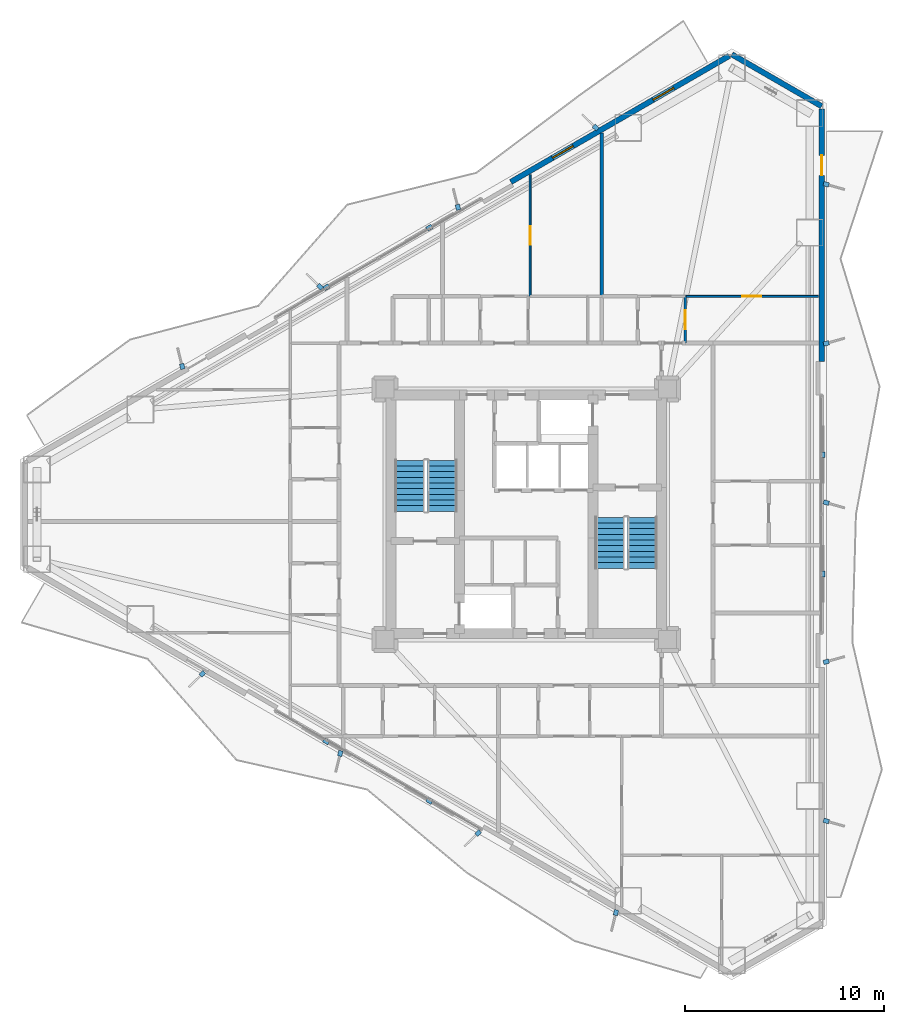
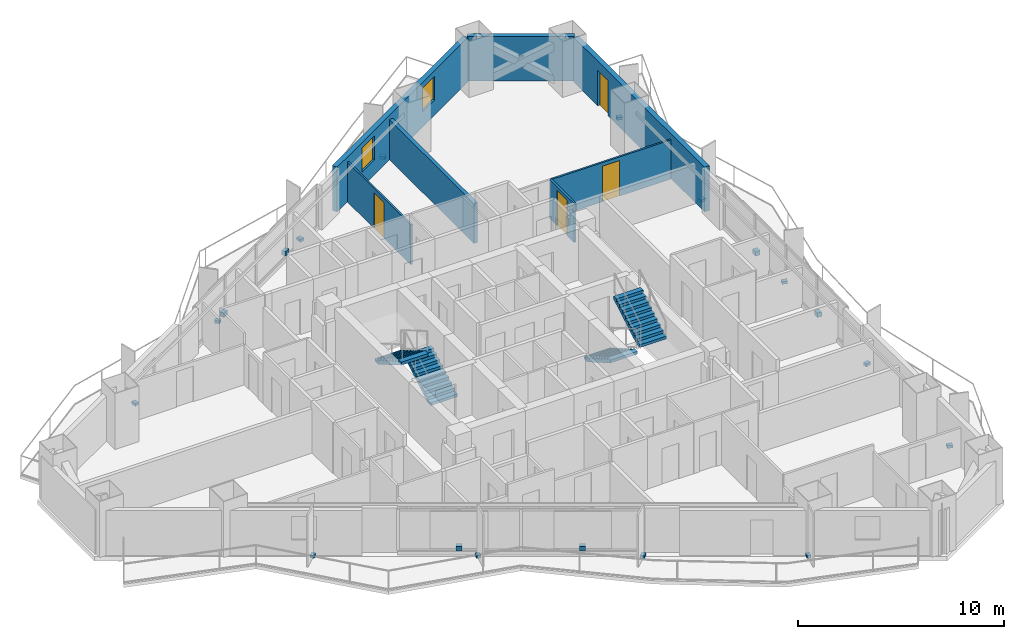
# One storey, part 16 of 18: 19 discrete accessories, 7 walls, 4 doors, 4 stair flights, 2 windows, 6 openings, 2 elements without a shape of their own.
"""IFC4 building model written with IfcOpenShell, lengths in metres."""

import ifcopenshell
import ifcopenshell.guid

model = None  # the IFC model being written
_history = None  # IfcOwnerHistory: only IFC2X3 demands one
_inside = {}  # id of a spatial element -> (the spatial element, [elements in it])
_under = {}  # id of a project, library or spatial element -> (it, [spatial elements below it])
_declared = {}  # id of a project -> (the project, [libraries it declares])
_typed = {}  # id of a type object -> (the type object, [elements of that type])
_made_of = {}  # id of a material, layer set ... -> (it, [elements and type objects made of it])


def new_model(schema):
    """Start an empty IFC model of exactly this schema.

    Asked for "IFC4X3", IfcOpenShell would pick the latest addendum, in which some entities
    have other attributes; the version numbers below select the first issue.
    IFC2X3 requires an IfcOwnerHistory on every rooted entity: one is made here for all.
    """
    global model, _history
    if schema == "IFC4X3":
        model = ifcopenshell.file(schema_version=(4, 3, 0, 0))
    else:
        model = ifcopenshell.file(schema=schema)
    _inside.clear()
    _under.clear()
    _declared.clear()
    _typed.clear()
    _made_of.clear()
    _history = None
    if model.schema == "IFC2X3":
        org = make("IfcOrganization", Name="unknown")
        user = make(
            "IfcPersonAndOrganization",
            ThePerson=make("IfcPerson", FamilyName="unknown"),
            TheOrganization=org,
        )
        app = make(
            "IfcApplication",
            ApplicationDeveloper=org,
            Version="unknown",
            ApplicationFullName="unknown",
            ApplicationIdentifier="unknown",
        )
        _history = make(
            "IfcOwnerHistory",
            OwningUser=user,
            OwningApplication=app,
            ChangeAction="ADDED",
            CreationDate=0,
        )
    return model


def make(cls, **values):
    """One entity of the class cls with the attributes given. An attribute that is None is left unset."""
    return model.create_entity(
        cls, **{name: value for name, value in values.items() if value is not None}
    )


def rooted(cls, **values):
    """An entity with a GlobalId (a new one), such as an element, a storey or a relation."""
    return make(cls, GlobalId=ifcopenshell.guid.new(), OwnerHistory=_history, **values)


def si_unit(unit_type, name, prefix=None):
    """IfcSIUnit, for example si_unit("LENGTHUNIT", "METRE", prefix="MILLI")."""
    return make("IfcSIUnit", UnitType=unit_type, Prefix=prefix, Name=name)


def assignment(units):
    """IfcUnitAssignment: the units of a project."""
    return None if units is None else make("IfcUnitAssignment", Units=units)


def point(xyz):
    """IfcCartesianPoint."""
    return None if xyz is None else make("IfcCartesianPoint", Coordinates=xyz)


def direction(xyz):
    """IfcDirection."""
    return None if xyz is None else make("IfcDirection", DirectionRatios=xyz)


def frame(location, z_axis=None, x_axis=None):
    """IfcAxis2Placement3D, a coordinate frame: its origin and axes. An axis left out is left unset."""
    return make(
        "IfcAxis2Placement3D",
        Location=point(location),
        Axis=direction(z_axis),
        RefDirection=direction(x_axis),
    )


def frame_2d(location, x_axis=None):
    """IfcAxis2Placement2D, a coordinate frame in the plane: its origin and x axis."""
    return make(
        "IfcAxis2Placement2D", Location=point(location), RefDirection=direction(x_axis)
    )


def origin():
    """The frame at (0, 0, 0) with its axes left unset."""
    return frame((0.0, 0.0, 0.0))


def origin_2d():
    """The frame at (0, 0) in the plane with its x axis left unset."""
    return frame_2d((0.0, 0.0))


def place(relative_to, where):
    """IfcLocalPlacement: puts the frame where relative to a parent placement (None: the world)."""
    return make(
        "IfcLocalPlacement", PlacementRelTo=relative_to, RelativePlacement=where
    )


def context(
    kind, dimensions, precision=None, world=None, true_north=None, identifier=None
):
    """IfcGeometricRepresentationContext, for example the 3D "Model" context."""
    return make(
        "IfcGeometricRepresentationContext",
        ContextIdentifier=identifier,
        ContextType=kind,
        CoordinateSpaceDimension=dimensions,
        Precision=precision,
        WorldCoordinateSystem=world,
        TrueNorth=true_north,
    )


def subcontext(parent, identifier, kind, view, scale=None):
    """IfcGeometricRepresentationSubContext, for example "Body" below "Model"."""
    return make(
        "IfcGeometricRepresentationSubContext",
        ContextIdentifier=identifier,
        ContextType=kind,
        ParentContext=parent,
        TargetScale=scale,
        TargetView=view,
    )


def project(units=None, contexts=None):
    """IfcProject with its units and contexts."""
    return rooted(
        "IfcProject",
        Name="project",
        RepresentationContexts=contexts,
        UnitsInContext=assignment(units),
    )


def spatial(cls, under=None, at=None, **own):
    """A site, building, storey or space (cls), placed at a placement, below another one or the project."""
    s = rooted(cls, ObjectPlacement=at, **own)
    if under is not None:
        _under.setdefault(under.id(), (under, []))[1].append(s)
    return s


def polyline(points):
    """IfcPolyline through the points."""
    return make("IfcPolyline", Points=[point(p) for p in points])


def profile(cls, at=None, kind="AREA", **sizes):
    """A parametric profile (cls). Its sizes go by their IFC names, for example OverallWidth=200.0."""
    return make(cls, ProfileType=kind, Position=at, **sizes)


def rectangle(**sizes):
    """IfcRectangleProfileDef."""
    return profile("IfcRectangleProfileDef", **sizes)


def outline(outer, holes=None, kind="AREA"):
    """IfcArbitraryClosedProfileDef: a profile drawn as a closed curve; with holes, ...WithVoids."""
    if holes is None:
        return make("IfcArbitraryClosedProfileDef", ProfileType=kind, OuterCurve=outer)
    return make(
        "IfcArbitraryProfileDefWithVoids",
        ProfileType=kind,
        OuterCurve=outer,
        InnerCurves=holes,
    )


def extrude(swept, where, along, depth):
    """IfcExtrudedAreaSolid: the profile swept, set in the frame where, extruded along a direction by depth."""
    return make(
        "IfcExtrudedAreaSolid",
        SweptArea=swept,
        Position=where,
        ExtrudedDirection=direction(along),
        Depth=depth,
    )


def shape(context_of_items, identifier, shape_type, items):
    """IfcShapeRepresentation: the items that make up one representation, for example the "Body"."""
    return make(
        "IfcShapeRepresentation",
        ContextOfItems=context_of_items,
        RepresentationIdentifier=identifier,
        RepresentationType=shape_type,
        Items=items,
    )


def material(Name=None, Category=None):
    """IfcMaterial."""
    return make("IfcMaterial", Name=Name, Category=Category)


def layer(
    of_material, thickness, ventilated=None, Name=None, Category=None, Priority=None
):
    """IfcMaterialLayer: one layer of a wall or slab, of a material (None: an air gap)."""
    return make(
        "IfcMaterialLayer",
        Material=of_material,
        LayerThickness=thickness,
        IsVentilated=ventilated,
        Name=Name,
        Category=Category,
        Priority=Priority,
    )


def layer_set(layers, Name=None):
    """IfcMaterialLayerSet."""
    return make("IfcMaterialLayerSet", MaterialLayers=layers, LayerSetName=Name)


def made_of(thing, what):
    """Note that an element or type object is made of a material, layer set ...; save() writes the relation."""
    if what is not None:
        _made_of.setdefault(what.id(), (what, []))[1].append(thing)
    return thing


def type_object(cls, material=None, **own):
    """A type object (cls), such as IfcWallType, which elements share."""
    return made_of(rooted(cls, **own), material)


def element(
    cls,
    number,
    at=None,
    inside=None,
    cuts=None,
    type_object=None,
    material=None,
    context=None,
    identifier="Body",
    shape_type=None,
    held_by="IfcProductDefinitionShape",
    body=None,
    shapes=None,
    **own,
):
    """One element of the class cls, such as IfcWall. Its Tag is "e" and its number.

    at: its placement. inside: the storey or other place that contains it. cuts: it is an
    opening in that element (IfcRelVoidsElement). A single representation is given by context,
    identifier, shape_type and body (its items); several are given by shapes. held_by: the class
    of the entity that holds the representations. save() writes the other relations.
    """
    e = rooted(cls, Tag="e%d" % number, ObjectPlacement=at, **own)
    if body is not None:
        shapes = [shape(context, identifier, shape_type, body)]
    if shapes is not None:
        e.Representation = make(held_by, Representations=shapes)
    if inside is not None:
        _inside.setdefault(inside.id(), (inside, []))[1].append(e)
    if cuts is not None:
        rooted(
            "IfcRelVoidsElement", RelatingBuildingElement=cuts, RelatedOpeningElement=e
        )
    if type_object is not None:
        _typed.setdefault(type_object.id(), (type_object, []))[1].append(e)
    return made_of(e, material)


def fill(opening, filler):
    """IfcRelFillsElement: the door or window that sits in an opening."""
    return rooted(
        "IfcRelFillsElement",
        RelatingOpeningElement=opening,
        RelatedBuildingElement=filler,
    )


def aggregate(whole, parts):
    """IfcRelAggregates: a whole, such as a stair, and the parts it consists of."""
    return rooted("IfcRelAggregates", RelatingObject=whole, RelatedObjects=parts)


def save(model, path):
    """Write the relations noted so far, then the file.

    IfcRelAggregates (storeys below a building ...), IfcRelContainedInSpatialStructure (elements
    in a storey), IfcRelDefinesByType, IfcRelAssociatesMaterial and IfcRelDeclares: one each for
    every whole, place, type object, material and project.
    """
    for whole, parts in _under.values():
        aggregate(whole, parts)
    for where, things in _inside.values():
        rooted(
            "IfcRelContainedInSpatialStructure",
            RelatedElements=things,
            RelatingStructure=where,
        )
    for kind, things in _typed.values():
        rooted("IfcRelDefinesByType", RelatedObjects=things, RelatingType=kind)
    for what, things in _made_of.values():
        rooted("IfcRelAssociatesMaterial", RelatedObjects=things, RelatingMaterial=what)
    for by, libraries in _declared.values():
        rooted("IfcRelDeclares", RelatingContext=by, RelatedDefinitions=libraries)
    model.write(path)


model = new_model("IFC4")

# Units and contexts
model_context = context("Model", 3, precision=1e-05, world=origin(), true_north=direction((0.0, 1.0)))
body_context = subcontext(model_context, "Body", "Model", "MODEL_VIEW")
ifc_project = project(units=[si_unit("LENGTHUNIT", "METRE"), si_unit("AREAUNIT", "SQUARE_METRE"), si_unit("VOLUMEUNIT", "CUBIC_METRE"), si_unit("PLANEANGLEUNIT", "RADIAN"), si_unit("MASSUNIT", "GRAM", prefix="KILO")], contexts=[model_context])

# Site, building, storey
site_placement = place(None, origin())
site = spatial("IfcSite", under=ifc_project, at=site_placement, CompositionType="ELEMENT")
building_placement = place(site_placement, origin())
building = spatial("IfcBuilding", under=site, at=building_placement, Name="Mersakhor Tower and Convention Hall", CompositionType="ELEMENT")
storey_placement = place(building_placement, frame((0.0, 0.0, 58.800048828125)))
storey = spatial("IfcBuildingStorey", under=building, at=storey_placement, Name="L16", CompositionType="ELEMENT", Elevation=58.800048828125)

# Wall
ifc_material_1 = material(Name="Precast concrete C45/55", Category="concrete")
ifc_layer_1 = layer(ifc_material_1, 0.27490234375)
ifc_layer_set_1 = layer_set([ifc_layer_1], Name="Precast concrete C45/55")
wall_type_1 = type_object("IfcWallType", Name="WL-EXT-275", PredefinedType="SOLIDWALL", material=ifc_layer_set_1)
wall_1_placement = place(storey_placement, frame((39.3369140625, 49.865234375, 0.0), z_axis=(0.0, 0.0, 1.0), x_axis=(0.866043601342, -0.499968479581, 0.0)))
element("IfcWall", 1, at=wall_1_placement, inside=storey, type_object=wall_type_1, Name="L16 Chamfer Braced Spandrel Wall C1", PredefinedType="SOLIDWALL", context=body_context, shape_type="SweptSolid", body=[
    extrude(rectangle(XDim=5.211181640625, YDim=0.27490234375, at=frame_2d((2.60546875, 0.0))), origin(), (0.0, 0.0, 1.0), 2.639892578125),
])

# Wall, openings, windows
wall_2_placement = place(storey_placement, frame((28.231689453125, 43.453857421875, 0.0), z_axis=(0.0, 0.0, 1.0), x_axis=(0.86603192154, 0.499988710747, 0.0)))
wall_2 = element("IfcWall", 2, at=wall_2_placement, inside=storey, type_object=wall_type_1, Name="L16 Exterior Facade Wall F1-B3", PredefinedType="SOLIDWALL", context=body_context, shape_type="SweptSolid", body=[
    extrude(rectangle(XDim=12.673095703125, YDim=0.27490234375, at=frame_2d((6.33642578125, 0.0))), origin(), (0.0, 0.0, 1.0), 2.639892578125),
])
opening_1_placement = place(wall_2_placement, frame((2.4169921875, 0.0, 0.89990234375)))
opening_1 = element("IfcOpeningElement", 3, at=opening_1_placement, cuts=wall_2, Name="Opening W-01", PredefinedType="OPENING", context=body_context, shape_type="SweptSolid", body=[
    extrude(rectangle(XDim=1.199951171875, YDim=1.39990234375, at=frame_2d((0.60009765625, 0.699951171875))), frame((0.0, 0.1474609375, 0.0), z_axis=(0.0, -1.0, 0.0), x_axis=(1.0, 0.0, 0.0)), (0.0, 0.0, 1.0), 0.294921875),
])
opening_2_placement = place(wall_2_placement, frame((8.2509765625, 0.0, 0.89990234375)))
opening_2 = element("IfcOpeningElement", 4, at=opening_2_placement, cuts=wall_2, Name="Opening W-01", PredefinedType="OPENING", context=body_context, shape_type="SweptSolid", body=[
    extrude(rectangle(XDim=1.199951171875, YDim=1.39990234375, at=frame_2d((0.60009765625, 0.699951171875))), frame((0.0, 0.1474609375, 0.0), z_axis=(0.0, -1.0, 0.0), x_axis=(1.0, 0.0, 0.0)), (0.0, 0.0, 1.0), 0.294921875),
])
ifc_material_2 = material(Name="Dark solar low-E glazed aluminium window", Category="aluminium")
window_type = type_object("IfcWindowType", Name="WN-RES-120x150", PartitioningType="SINGLE_PANEL", PredefinedType="WINDOW", material=ifc_material_2)
window_1_placement = place(opening_1_placement, origin())
window_1 = element("IfcWindow", 5, at=window_1_placement, inside=storey, type_object=window_type, Name="L16 Bedroom Facade Window F1-B3-1", OverallHeight=1.39990234375, OverallWidth=1.199951171875, PartitioningType="SINGLE_PANEL", PredefinedType="WINDOW", context=body_context, shape_type="SweptSolid", body=[
    extrude(rectangle(XDim=1.199951171875, YDim=1.39990234375, at=frame_2d((0.60009765625, 0.699951171875))), frame((0.0, 0.030029296875, 0.0), z_axis=(0.0, -1.0, 0.0), x_axis=(1.0, 0.0, 0.0)), (0.0, 0.0, 1.0), 0.06005859375),
])
fill(opening_1, window_1)
window_2_placement = place(opening_2_placement, origin())
window_2 = element("IfcWindow", 6, at=window_2_placement, inside=storey, type_object=window_type, Name="L16 Bedroom Facade Window F1-B3-2", OverallHeight=1.39990234375, OverallWidth=1.199951171875, PartitioningType="SINGLE_PANEL", PredefinedType="WINDOW", context=body_context, shape_type="SweptSolid", body=[
    extrude(rectangle(XDim=1.199951171875, YDim=1.39990234375, at=frame_2d((0.60009765625, 0.699951171875))), frame((0.0, 0.030029296875, 0.0), z_axis=(0.0, -1.0, 0.0), x_axis=(1.0, 0.0, 0.0)), (0.0, 0.0, 1.0), 0.06005859375),
])
fill(opening_2, window_2)

# Wall, opening, door
wall_3_placement = place(storey_placement, frame((43.85009765625, 47.109619140625, 0.0), z_axis=(0.0, 0.0, 1.0), x_axis=(0.0, -1.0, 0.0)))
wall_3 = element("IfcWall", 7, at=wall_3_placement, inside=storey, type_object=wall_type_1, Name="L16 Exterior Facade Wall F2-B1", PredefinedType="SOLIDWALL", context=body_context, shape_type="SweptSolid", body=[
    extrude(rectangle(XDim=12.673095703125, YDim=0.27490234375, at=frame_2d((6.33642578125, 0.0))), origin(), (0.0, 0.0, 1.0), 2.639892578125),
])
opening_3_placement = place(wall_3_placement, frame((2.324951171875, 0.0, 0.0)))
opening_3 = element("IfcOpeningElement", 8, at=opening_3_placement, cuts=wall_3, Name="Opening BD-01", PredefinedType="OPENING", context=body_context, shape_type="SweptSolid", body=[
    extrude(rectangle(XDim=1.0, YDim=2.10009765625, at=frame_2d((0.5, 1.050048828125))), frame((0.0, 0.1474609375, 0.0), z_axis=(0.0, -1.0, 0.0), x_axis=(1.0, 0.0, 0.0)), (0.0, 0.0, 1.0), 0.294921875),
])
ifc_material_3 = material(Name="Thermally broken dark aluminium and safety glass", Category="aluminium")
door_type_1 = type_object("IfcDoorType", Name="DR-BAL-100x210", OperationType="NOTDEFINED", PredefinedType="DOOR", material=ifc_material_3)
door_1_placement = place(opening_3_placement, origin())
door_1 = element("IfcDoor", 9, at=door_1_placement, inside=storey, type_object=door_type_1, Name="L16 Balcony Terrace Door F2-B1", OperationType="SINGLE_SWING_LEFT", OverallHeight=2.10009765625, OverallWidth=1.0, PredefinedType="DOOR", context=body_context, shape_type="SweptSolid", body=[
    extrude(rectangle(XDim=1.0, YDim=2.10009765625, at=frame_2d((0.5, 1.050048828125))), frame((0.0, 0.02490234375, 0.0), z_axis=(0.0, -1.0, 0.0), x_axis=(1.0, 0.0, 0.0)), (0.0, 0.0, 1.0), 0.050048828125),
])
fill(opening_3, door_1)

ifc_material_4 = material(Name="Lightweight gypsum partition", Category="other")
ifc_layer_2 = layer(ifc_material_4, 0.10009765625)
ifc_layer_set_2 = layer_set([ifc_layer_2], Name="Lightweight gypsum partition")
wall_type_2 = type_object("IfcWallType", Name="WL-PRT-100", PredefinedType="PARTITIONING", material=ifc_layer_set_2)
wall_4_placement = place(storey_placement, frame((37.0, 37.699951171875, 0.0), z_axis=(0.0, 0.0, 1.0), x_axis=(1.0, 0.0, 0.0)))
wall_4 = element("IfcWall", 10, at=wall_4_placement, inside=storey, type_object=wall_type_2, Name="L16 Interior Partition Wall P-100", PredefinedType="PARTITIONING", context=body_context, shape_type="SweptSolid", body=[
    extrude(rectangle(XDim=6.6884765625, YDim=0.10009765625, at=frame_2d((3.34423828125, 0.0))), origin(), (0.0, 0.0, 1.0), 2.3173828125),
])
opening_4_placement = place(wall_4_placement, frame((2.869140625, 0.0, 0.0)))
opening_4 = element("IfcOpeningElement", 11, at=opening_4_placement, cuts=wall_4, Name="Opening RD-01", PredefinedType="OPENING", context=body_context, shape_type="SweptSolid", body=[
    extrude(rectangle(XDim=0.949951171875, YDim=2.10009765625, at=frame_2d((0.47509765625, 1.050048828125))), frame((0.0, 0.06005859375, 0.0), z_axis=(0.0, -1.0, 0.0), x_axis=(1.0, 0.0, 0.0)), (0.0, 0.0, 1.0), 0.1201171875),
])
ifc_material_5 = material(Name="Solid-core hardwood leaf in painted steel frame", Category="steel")
door_type_2 = type_object("IfcDoorType", Name="DR-INT-RM-095x210", OperationType="NOTDEFINED", PredefinedType="DOOR", material=ifc_material_5)
door_2_placement = place(opening_4_placement, origin())
door_2 = element("IfcDoor", 12, at=door_2_placement, inside=storey, type_object=door_type_2, Name="L16 L16 Flat N3 Kitchen to L16 Flat N3 Studio Living and Sleeping Room Door", OperationType="SINGLE_SWING_LEFT", OverallHeight=2.10009765625, OverallWidth=0.949951171875, PredefinedType="DOOR", context=body_context, shape_type="SweptSolid", body=[
    extrude(rectangle(XDim=0.949951171875, YDim=2.10009765625, at=frame_2d((0.47509765625, 1.050048828125))), frame((0.0, 0.02490234375, 0.0), z_axis=(0.0, -1.0, 0.0), x_axis=(1.0, 0.0, 0.0)), (0.0, 0.0, 1.0), 0.050048828125),
])
fill(opening_4, door_2)

wall_5_placement = place(storey_placement, frame((29.199951171875, 43.826416015625, 0.0), z_axis=(0.0, 0.0, 1.0), x_axis=(0.0, -1.0, 0.0)))
wall_5 = element("IfcWall", 13, at=wall_5_placement, inside=storey, type_object=wall_type_2, Name="L16 Interior Partition Wall P-126", PredefinedType="PARTITIONING", context=body_context, shape_type="SweptSolid", body=[
    extrude(rectangle(XDim=6.12646484375, YDim=0.10009765625, at=frame_2d((3.063232421875, 0.0))), origin(), (0.0, 0.0, 1.0), 2.364990234375),
])
opening_5_placement = place(wall_5_placement, frame((2.588134765625, 0.0, 0.0)))
opening_5 = element("IfcOpeningElement", 14, at=opening_5_placement, cuts=wall_5, Name="Opening RD-01", PredefinedType="OPENING", context=body_context, shape_type="SweptSolid", body=[
    extrude(rectangle(XDim=0.949951171875, YDim=2.10009765625, at=frame_2d((0.47509765625, 1.050048828125))), frame((0.0, 0.06005859375, 0.0), z_axis=(0.0, -1.0, 0.0), x_axis=(1.0, 0.0, 0.0)), (0.0, 0.0, 1.0), 0.1201171875),
])
door_3_placement = place(opening_5_placement, origin())
door_3 = element("IfcDoor", 15, at=door_3_placement, inside=storey, type_object=door_type_2, Name="L16 L16 Flat N2 Living and Dining Room to L16 Flat N2 Bedroom 1 Door", OperationType="SINGLE_SWING_RIGHT", OverallHeight=2.10009765625, OverallWidth=0.949951171875, PredefinedType="DOOR", context=body_context, shape_type="SweptSolid", body=[
    extrude(rectangle(XDim=0.949951171875, YDim=2.10009765625, at=frame_2d((0.47509765625, 1.050048828125))), frame((0.0, 0.02490234375, 0.0), z_axis=(0.0, -1.0, 0.0), x_axis=(1.0, 0.0, 0.0)), (0.0, 0.0, 1.0), 0.050048828125),
])
fill(opening_5, door_3)

ifc_material_6 = material(Name="Gypsum board acoustic partition", Category="other")
ifc_layer_3 = layer(ifc_material_6, 0.125)
ifc_layer_set_3 = layer_set([ifc_layer_3], Name="Gypsum board acoustic partition")
wall_type_3 = type_object("IfcWallType", Name="WL-PRT-125", PredefinedType="PARTITIONING", material=ifc_layer_set_3)
wall_6_placement = place(storey_placement, frame((37.0, 37.699951171875, 0.0), z_axis=(0.0, 0.0, 1.0), x_axis=(0.0, -1.0, 0.0)))
wall_6 = element("IfcWall", 16, at=wall_6_placement, inside=storey, type_object=wall_type_3, Name="L16 Interior Partition Wall P-073", PredefinedType="PARTITIONING", context=body_context, shape_type="SweptSolid", body=[
    extrude(rectangle(XDim=2.349853515625, YDim=0.125, at=frame_2d((1.1748046875, 0.0))), origin(), (0.0, 0.0, 1.0), 2.3173828125),
])
opening_6_placement = place(wall_6_placement, frame((0.699951171875, 0.0, 0.0)))
opening_6 = element("IfcOpeningElement", 17, at=opening_6_placement, cuts=wall_6, Name="Opening RD-01", PredefinedType="OPENING", context=body_context, shape_type="SweptSolid", body=[
    extrude(rectangle(XDim=0.949951171875, YDim=2.10009765625, at=frame_2d((0.47509765625, 1.050048828125))), frame((0.0, 0.072509765625, 0.0), z_axis=(0.0, -1.0, 0.0), x_axis=(1.0, 0.0, 0.0)), (0.0, 0.0, 1.0), 0.14501953125),
])
door_4_placement = place(opening_6_placement, origin())
door_4 = element("IfcDoor", 18, at=door_4_placement, inside=storey, type_object=door_type_2, Name="L16 L16 Flat N3 Apartment Hall to L16 Flat N3 Kitchen Door", OperationType="SINGLE_SWING_RIGHT", OverallHeight=2.10009765625, OverallWidth=0.949951171875, PredefinedType="DOOR", context=body_context, shape_type="SweptSolid", body=[
    extrude(rectangle(XDim=0.949951171875, YDim=2.10009765625, at=frame_2d((0.47509765625, 1.050048828125))), frame((0.0, 0.02490234375, 0.0), z_axis=(0.0, -1.0, 0.0), x_axis=(1.0, 0.0, 0.0)), (0.0, 0.0, 1.0), 0.050048828125),
])
fill(opening_6, door_4)

# Wall
ifc_material_7 = material(Name="Acoustic concrete blockwork and gypsum board", Category="masonry")
ifc_layer_4 = layer(ifc_material_7, 0.199951171875)
ifc_layer_set_4 = layer_set([ifc_layer_4], Name="Acoustic concrete blockwork and gypsum board")
wall_type_4 = type_object("IfcWallType", Name="WL-PRT-200", PredefinedType="PARTITIONING", material=ifc_layer_set_4)
wall_7_placement = place(storey_placement, frame((32.800048828125, 45.90478515625, 0.0), z_axis=(0.0, 0.0, 1.0), x_axis=(0.0, -1.0, 0.0)))
element("IfcWall", 19, at=wall_7_placement, inside=storey, type_object=wall_type_4, Name="L16 Interior Partition Wall P-128", PredefinedType="PARTITIONING", context=body_context, shape_type="SweptSolid", body=[
    extrude(rectangle(XDim=8.204833984375, YDim=0.199951171875, at=frame_2d((4.1025390625, 0.0))), origin(), (0.0, 0.0, 1.0), 2.364990234375),
])

# Stair, stair flights
ifc_material_8 = material(Name="Concrete C45/55", Category="concrete")
stair_type = type_object("IfcStairType", Name="ST-TWR-20R", PredefinedType="HALF_TURN_STAIR", material=ifc_material_8)
stair_1_placement = place(storey_placement, origin())
stair_1 = element("IfcStair", 20, at=stair_1_placement, inside=storey, type_object=stair_type, Name="L16 Tower Protected Exit Stair ST-1", PredefinedType="HALF_TURN_STAIR")
ifc_material_9 = material(Name="Concrete C45/55", Category="concrete")
stair_flight_type = type_object("IfcStairFlightType", Name="SFL-TWR-20R", PredefinedType="STRAIGHT", material=ifc_material_9)
stair_flight_1_placement = place(storey_placement, frame((24.800048828125, 26.89990234375, 0.0), z_axis=(0.0, 0.0, 1.0), x_axis=(0.0, 1.0, 0.0)))
stair_flight_1 = element("IfcStairFlight", 21, at=stair_flight_1_placement, type_object=stair_flight_type, Name="ST-1 flight 1", NumberOfRisers=10, NumberOfTreads=9, PredefinedType="STRAIGHT", RiserHeight=0.165, TreadLength=0.285, context=body_context, shape_type="SweptSolid", body=[
    extrude(outline(polyline([(0.0, 0.0), (0.0, 0.1650390625), (0.284912109375, 0.1650390625), (0.284912109375, 0.330078125), (0.570068359375, 0.330078125), (0.570068359375, 0.4951171875), (0.85498046875, 0.4951171875), (0.85498046875, 0.659912109375), (1.139892578125, 0.659912109375), (1.139892578125, 0.824951171875), (1.425048828125, 0.824951171875), (1.425048828125, 0.989990234375), (1.7099609375, 0.989990234375), (1.7099609375, 1.155029296875), (1.9951171875, 1.155029296875), (1.9951171875, 1.320068359375), (2.280029296875, 1.320068359375), (2.280029296875, 1.485107421875), (2.56494140625, 1.485107421875), (2.56494140625, 1.64990234375), (2.56494140625, 1.311767578125), (0.299072265625, 0.0), (0.0, 0.0)])), frame((0.0, 0.75, 0.0), z_axis=(0.0, -1.0, 0.0), x_axis=(1.0, 0.0, 0.0)), (0.0, 0.0, 1.0), 1.5),
])
stair_flight_2_placement = place(storey_placement, frame((23.14990234375, 29.465087890625, 1.64990234375), z_axis=(0.0, 0.0, 1.0), x_axis=(0.0, -1.0, 0.0)))
stair_flight_2 = element("IfcStairFlight", 22, at=stair_flight_2_placement, type_object=stair_flight_type, Name="ST-1 flight 2", NumberOfRisers=10, NumberOfTreads=9, PredefinedType="STRAIGHT", RiserHeight=0.165, TreadLength=0.285, context=body_context, shape_type="SweptSolid", body=[
    extrude(outline(polyline([(0.0, 0.0), (0.0, 0.1650390625), (0.284912109375, 0.1650390625), (0.284912109375, 0.330078125), (0.570068359375, 0.330078125), (0.570068359375, 0.4951171875), (0.85498046875, 0.4951171875), (0.85498046875, 0.659912109375), (1.139892578125, 0.659912109375), (1.139892578125, 0.824951171875), (1.425048828125, 0.824951171875), (1.425048828125, 0.989990234375), (1.7099609375, 0.989990234375), (1.7099609375, 1.155029296875), (1.9951171875, 1.155029296875), (1.9951171875, 1.320068359375), (2.280029296875, 1.320068359375), (2.280029296875, 1.485107421875), (2.56494140625, 1.485107421875), (2.56494140625, 1.64990234375), (2.56494140625, 1.311767578125), (0.299072265625, 0.0), (0.0, 0.0)])), frame((0.0, 0.75, 0.0), z_axis=(0.0, -1.0, 0.0), x_axis=(1.0, 0.0, 0.0)), (0.0, 0.0, 1.0), 1.5),
])
aggregate(stair_1, [stair_flight_1, stair_flight_2])

stair_2_placement = place(storey_placement, origin())
stair_2 = element("IfcStair", 23, at=stair_2_placement, inside=storey, type_object=stair_type, Name="L16 Tower Protected Exit Stair ST-2", PredefinedType="HALF_TURN_STAIR")
stair_flight_3_placement = place(storey_placement, frame((33.199951171875, 26.60009765625, 0.0), z_axis=(0.0, 0.0, 1.0), x_axis=(0.0, -1.0, 0.0)))
stair_flight_3 = element("IfcStairFlight", 24, at=stair_flight_3_placement, type_object=stair_flight_type, Name="ST-2 flight 1", NumberOfRisers=10, NumberOfTreads=9, PredefinedType="STRAIGHT", RiserHeight=0.165, TreadLength=0.285, context=body_context, shape_type="SweptSolid", body=[
    extrude(outline(polyline([(0.0, 0.0), (0.0, 0.1650390625), (0.284912109375, 0.1650390625), (0.284912109375, 0.330078125), (0.570068359375, 0.330078125), (0.570068359375, 0.4951171875), (0.85498046875, 0.4951171875), (0.85498046875, 0.659912109375), (1.139892578125, 0.659912109375), (1.139892578125, 0.824951171875), (1.425048828125, 0.824951171875), (1.425048828125, 0.989990234375), (1.7099609375, 0.989990234375), (1.7099609375, 1.155029296875), (1.9951171875, 1.155029296875), (1.9951171875, 1.320068359375), (2.280029296875, 1.320068359375), (2.280029296875, 1.485107421875), (2.56494140625, 1.485107421875), (2.56494140625, 1.64990234375), (2.56494140625, 1.311767578125), (0.299072265625, 0.0), (0.0, 0.0)])), frame((0.0, 0.75, 0.0), z_axis=(0.0, -1.0, 0.0), x_axis=(1.0, 0.0, 0.0)), (0.0, 0.0, 1.0), 1.5),
])
stair_flight_4_placement = place(storey_placement, frame((34.85009765625, 24.034912109375, 1.64990234375), z_axis=(0.0, 0.0, 1.0), x_axis=(0.0, 1.0, 0.0)))
stair_flight_4 = element("IfcStairFlight", 25, at=stair_flight_4_placement, type_object=stair_flight_type, Name="ST-2 flight 2", NumberOfRisers=10, NumberOfTreads=9, PredefinedType="STRAIGHT", RiserHeight=0.165, TreadLength=0.285, context=body_context, shape_type="SweptSolid", body=[
    extrude(outline(polyline([(0.0, 0.0), (0.0, 0.1650390625), (0.284912109375, 0.1650390625), (0.284912109375, 0.330078125), (0.570068359375, 0.330078125), (0.570068359375, 0.4951171875), (0.85498046875, 0.4951171875), (0.85498046875, 0.659912109375), (1.139892578125, 0.659912109375), (1.139892578125, 0.824951171875), (1.425048828125, 0.824951171875), (1.425048828125, 0.989990234375), (1.7099609375, 0.989990234375), (1.7099609375, 1.155029296875), (1.9951171875, 1.155029296875), (1.9951171875, 1.320068359375), (2.280029296875, 1.320068359375), (2.280029296875, 1.485107421875), (2.56494140625, 1.485107421875), (2.56494140625, 1.64990234375), (2.56494140625, 1.311767578125), (0.299072265625, 0.0), (0.0, 0.0)])), frame((0.0, 0.75, 0.0), z_axis=(0.0, -1.0, 0.0), x_axis=(1.0, 0.0, 0.0)), (0.0, 0.0, 1.0), 1.5),
])
aggregate(stair_2, [stair_flight_3, stair_flight_4])

# Discrete accessories
ifc_material_10 = material(Name="Galvanised steel bracket", Category="steel")
ifc_layer_5 = layer(ifc_material_10, 0.02001953125)
ifc_layer_set_5 = layer_set([ifc_layer_5], Name="Galvanised steel bracket")
discrete_accessory_type = type_object("IfcDiscreteAccessoryType", Name="ACC-BRK-STL", PredefinedType="BRACKET", material=ifc_layer_set_5)
for number, where, z_axis, x_axis, name in (
    (26, (18.957763671875, 38.156982421875, 0.2900390625), (0.0, 0.0, 1.0), (0.866025403784, 0.5, 0.0), "L16 Solar Screen Outrigger Bracket BRK-1-1"),
    (27, (24.142333984375, 41.150390625, 0.2900390625), (0.0, 0.0, 1.0), (0.866025403784, 0.5, 0.0), "L16 Solar Screen Outrigger Bracket BRK-1-2"),
):
    element("IfcDiscreteAccessory", number, at=place(storey_placement, frame(where, z_axis=z_axis, x_axis=x_axis)), inside=storey, type_object=discrete_accessory_type, Name=name, PredefinedType="BRACKET", context=body_context, shape_type="SweptSolid", body=[
        extrude(rectangle(XDim=0.300048828125, YDim=0.239990234375, at=origin_2d()), origin(), (0.0, 0.0, 1.0), 0.260009765625),
    ])
for number, where, z_axis, x_axis, name in (
    (28, (11.713623046875, 34.1826171875, -0.02001953125), (0.0, 0.0, 1.0), (-0.2419218956, 0.970295726276, 0.0), "L16 Facade Fin Base Cleat Bracket FBRK-1-1"),
    (29, (18.641845703125, 38.1826171875, -0.02001953125), (0.0, 0.0, 1.0), (-0.719339800339, 0.694658370459, 0.0), "L16 Facade Fin Base Cleat Bracket FBRK-1-2"),
    (30, (25.570068359375, 42.1826171875, -0.02001953125), (0.0, 0.0, 1.0), (-0.2419218956, 0.970295726276, 0.0), "L16 Facade Fin Base Cleat Bracket FBRK-1-3"),
    (31, (32.498291015625, 46.1826171875, -0.02001953125), (0.0, 0.0, 1.0), (-0.719339800339, 0.694658370459, 0.0), "L16 Facade Fin Base Cleat Bracket FBRK-1-4"),
):
    element("IfcDiscreteAccessory", number, at=place(storey_placement, frame(where, z_axis=z_axis, x_axis=x_axis)), inside=storey, type_object=discrete_accessory_type, Name=name, PredefinedType="BRACKET", context=body_context, shape_type="SweptSolid", body=[
        extrude(rectangle(XDim=0.280029296875, YDim=0.219970703125, at=origin_2d()), origin(), (0.0, 0.0, 1.0), 0.159912109375),
    ])
for number, where, z_axis, x_axis, name in (
    (32, (43.89990234375, 29.743408203125, 0.2900390625), (0.0, 0.0, 1.0), (0.0, -1.0, 0.0), "L16 Solar Screen Outrigger Bracket BRK-2-1"),
    (33, (43.89990234375, 23.756591796875, 0.2900390625), (0.0, 0.0, 1.0), (0.0, -1.0, 0.0), "L16 Solar Screen Outrigger Bracket BRK-2-2"),
):
    element("IfcDiscreteAccessory", number, at=place(storey_placement, frame(where, z_axis=z_axis, x_axis=x_axis)), inside=storey, type_object=discrete_accessory_type, Name=name, PredefinedType="BRACKET", context=body_context, shape_type="SweptSolid", body=[
        extrude(rectangle(XDim=0.300048828125, YDim=0.239990234375, at=origin_2d()), origin(), (0.0, 0.0, 1.0), 0.260009765625),
    ])
for number, where, z_axis, x_axis, name in (
    (34, (44.080078125, 43.33740234375, -0.02001953125), (0.0, 0.0, 1.0), (0.961261695938, -0.275637355817, 0.0), "L16 Facade Fin Base Cleat Bracket FBRK-2-1"),
    (35, (44.080078125, 35.33740234375, -0.02001953125), (0.0, 0.0, 1.0), (0.961261695938, 0.275637355817, 0.0), "L16 Facade Fin Base Cleat Bracket FBRK-2-2"),
    (36, (44.080078125, 27.33740234375, -0.02001953125), (0.0, 0.0, 1.0), (0.961261695938, -0.275637355817, 0.0), "L16 Facade Fin Base Cleat Bracket FBRK-2-3"),
    (37, (44.080078125, 19.33740234375, -0.02001953125), (0.0, 0.0, 1.0), (0.961261695938, 0.275637355817, 0.0), "L16 Facade Fin Base Cleat Bracket FBRK-2-4"),
    (38, (44.080078125, 11.33740234375, -0.02001953125), (0.0, 0.0, 1.0), (0.961261695938, -0.275637355817, 0.0), "L16 Facade Fin Base Cleat Bracket FBRK-2-5"),
):
    element("IfcDiscreteAccessory", number, at=place(storey_placement, frame(where, z_axis=z_axis, x_axis=x_axis)), inside=storey, type_object=discrete_accessory_type, Name=name, PredefinedType="BRACKET", context=body_context, shape_type="SweptSolid", body=[
        extrude(rectangle(XDim=0.280029296875, YDim=0.219970703125, at=origin_2d()), origin(), (0.0, 0.0, 1.0), 0.159912109375),
    ])
for number, where, z_axis, x_axis, name in (
    (39, (24.14208984375, 12.349609375, 0.2900390625), (0.0, 0.0, 1.0), (-0.866025403784, 0.5, 0.0), "L16 Solar Screen Outrigger Bracket BRK-3-1"),
    (40, (18.957763671875, 15.3427734375, 0.2900390625), (0.0, 0.0, 1.0), (-0.866025403784, 0.5, 0.0), "L16 Solar Screen Outrigger Bracket BRK-3-2"),
):
    element("IfcDiscreteAccessory", number, at=place(storey_placement, frame(where, z_axis=z_axis, x_axis=x_axis)), inside=storey, type_object=discrete_accessory_type, Name=name, PredefinedType="BRACKET", context=body_context, shape_type="SweptSolid", body=[
        extrude(rectangle(XDim=0.300048828125, YDim=0.239990234375, at=origin_2d()), origin(), (0.0, 0.0, 1.0), 0.260009765625),
    ])
for number, where, z_axis, x_axis, name in (
    (41, (33.515625, 6.72998046875, -0.02001953125), (0.0, 0.0, 1.0), (-0.2419218956, -0.970295726276, 0.0), "L16 Facade Fin Base Cleat Bracket FBRK-3-1"),
    (42, (26.58740234375, 10.72998046875, -0.02001953125), (0.0, 0.0, 1.0), (-0.719339800339, -0.694658370459, 0.0), "L16 Facade Fin Base Cleat Bracket FBRK-3-2"),
    (43, (19.6591796875, 14.72998046875, -0.02001953125), (0.0, 0.0, 1.0), (-0.2419218956, -0.970295726276, 0.0), "L16 Facade Fin Base Cleat Bracket FBRK-3-3"),
    (44, (12.73095703125, 18.72998046875, -0.02001953125), (0.0, 0.0, 1.0), (-0.719339800339, -0.694658370459, 0.0), "L16 Facade Fin Base Cleat Bracket FBRK-3-4"),
):
    element("IfcDiscreteAccessory", number, at=place(storey_placement, frame(where, z_axis=z_axis, x_axis=x_axis)), inside=storey, type_object=discrete_accessory_type, Name=name, PredefinedType="BRACKET", context=body_context, shape_type="SweptSolid", body=[
        extrude(rectangle(XDim=0.280029296875, YDim=0.219970703125, at=origin_2d()), origin(), (0.0, 0.0, 1.0), 0.159912109375),
    ])

save(model, "model.ifc")
